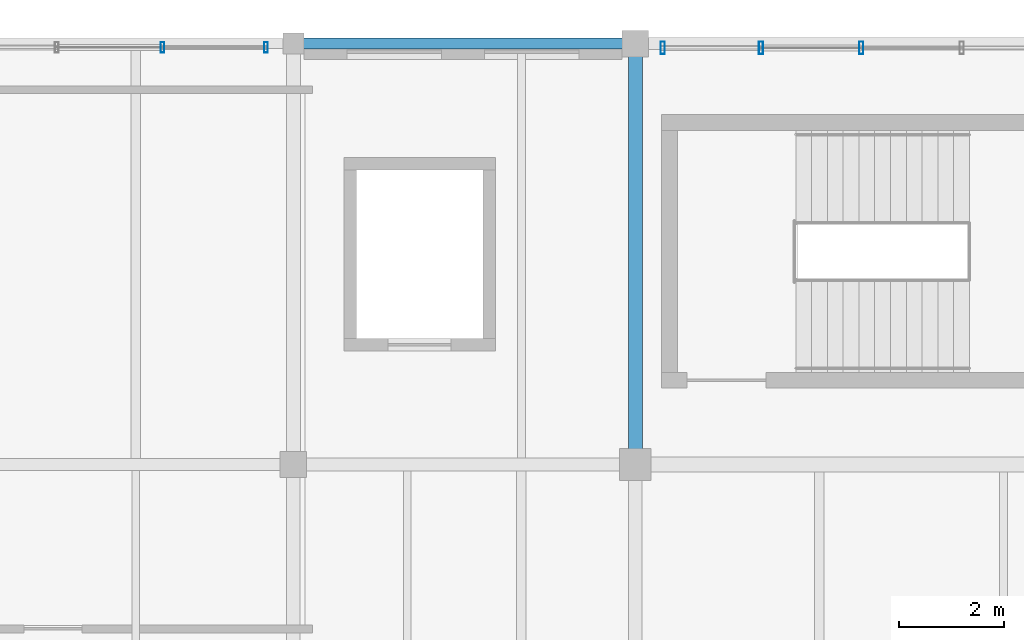
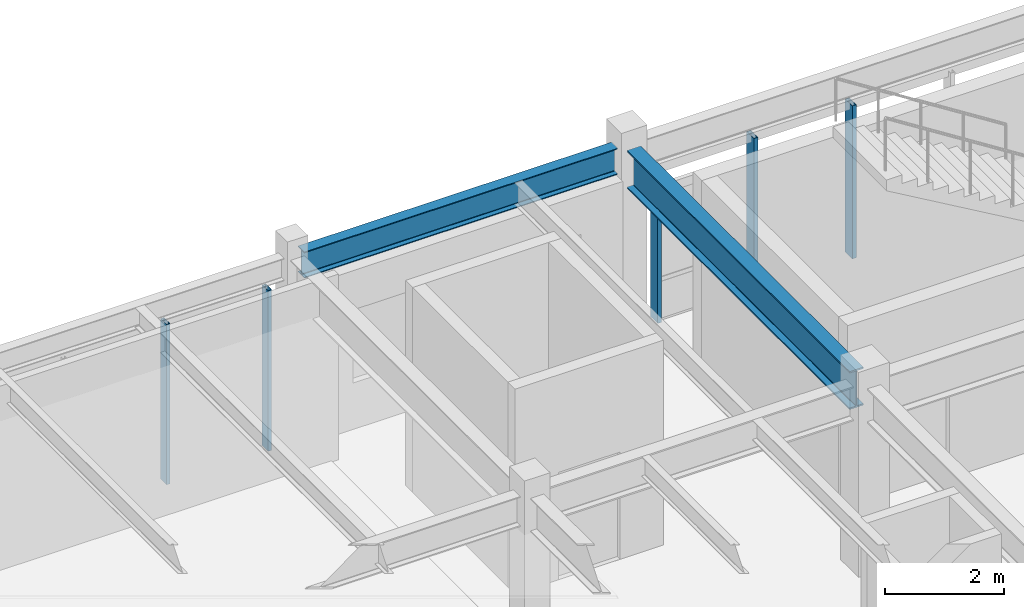
# One storey, part 14 of 56: 5 members, 2 beams, 2 elements without a shape of their own.
"""IFC4 building model written with IfcOpenShell, lengths in metres."""

from ifc_helpers import new_model, si_unit, direction, frame, origin, origin_2d, place, context, subcontext, project, spatial, hollow_rectangle, i_section, extrude, material, material_profile, profile_set, type_object, element, aggregate, save


model = new_model("IFC4")

# Units and contexts
model_context = context("Model", 3, precision=1e-05, world=origin(), true_north=direction((0.0, 1.0)))
body_context = subcontext(model_context, "Body", "Model", "MODEL_VIEW")
ifc_project = project(units=[si_unit("LENGTHUNIT", "METRE"), si_unit("AREAUNIT", "SQUARE_METRE"), si_unit("VOLUMEUNIT", "CUBIC_METRE"), si_unit("PLANEANGLEUNIT", "RADIAN"), si_unit("MASSUNIT", "GRAM", prefix="KILO"), si_unit("THERMODYNAMICTEMPERATUREUNIT", "KELVIN"), si_unit("POWERUNIT", "WATT")], contexts=[model_context])

# Site, building, storey
site_placement = place(None, origin())
site = spatial("IfcSite", under=ifc_project, at=site_placement, CompositionType="ELEMENT")
building_placement = place(site_placement, origin())
building = spatial("IfcBuilding", under=site, at=building_placement, Name="Tepalcoro Natatorium and Aquatics Centre", CompositionType="ELEMENT")
storey_placement = place(building_placement, frame((0.0, 0.0, 14.800048828125)))
storey = spatial("IfcBuildingStorey", under=building, at=storey_placement, Name="L03", CompositionType="ELEMENT", Elevation=14.800048828125)

# Beam
ifc_material_1 = material(Name="Steel ASTM A992 Grade 50 (Fy 345 MPa)", Category="steel")
ifc_material_profile_1 = material_profile(ifc_material_1, i_section(OverallWidth=0.26708984375, OverallDepth=0.780029296875, WebThickness=0.01708984375, FlangeThickness=0.030029296875, FilletRadius=0.013916015625, at=origin_2d()), Name="W30X148")
ifc_profile_set_1 = profile_set([ifc_material_profile_1], Name="Steel ASTM A992 Grade 50 (Fy 345 MPa)")
beam_type_1 = type_object("IfcBeamType", Name="BM_W30x148", PredefinedType="BEAM", material=ifc_profile_set_1)
beam_1_placement = place(storey_placement, frame((131.5, 110.284912109375, 3.4150390625), z_axis=(0.0, 1.0, 0.0), x_axis=(-1.0, 0.0, 0.0)))
element("IfcBeam", 1, at=beam_1_placement, inside=storey, type_object=beam_type_1, Name="V5 L03 Grid Girder Y", PredefinedType="BEAM", context=body_context, shape_type="SweptSolid", body=[
    extrude(i_section(OverallWidth=0.26708984375, OverallDepth=0.780029296875, WebThickness=0.01708984375, FlangeThickness=0.030029296875, FilletRadius=0.013916015625, at=origin_2d()), origin(), (0.0, 0.0, 1.0), 7.47998046875),
])

# Curtain wall, members
ifc_material_2 = material(Name="Bronze-Anodised Extruded Aluminium Alloy EN AW-6063 T6", Category="aluminium")
curtain_wall_type_1 = type_object("IfcCurtainWallType", Name="CW_LEAN_T1_EW", PredefinedType="USERDEFINED", material=ifc_material_2)
curtain_wall_1_placement = place(storey_placement, origin())
curtain_wall_1 = element("IfcCurtainWall", 2, at=curtain_wall_1_placement, inside=storey, type_object=curtain_wall_type_1, Name="V5 L03 N Unitised Curtain Wall Bay 2", ObjectType="FACETED SOLAR GLAZING", PredefinedType="USERDEFINED")
ifc_material_profile_2 = material_profile(ifc_material_2, hollow_rectangle(XDim=0.070068359375, YDim=0.199951171875, WallThickness=0.0048828125, at=origin_2d()), Name="AL70X200X5")
ifc_profile_set_2 = profile_set([ifc_material_profile_2], Name="Bronze-Anodised Extruded Aluminium Alloy EN AW-6063 T6")
member_type_1 = type_object("IfcMemberType", Name="CW_MUL_70x200", PredefinedType="MULLION", material=ifc_profile_set_2)
member_1_placement = place(storey_placement, frame((122.510009765625, 117.9287109375, 0.02001953125), z_axis=(0.0, 0.0, 1.0), x_axis=(1.0, 0.0, 0.0)))
member_1 = element("IfcMember", 3, at=member_1_placement, type_object=member_type_1, Name="CW_LEAN_T1_EW Curtain Wall Mullion", PredefinedType="MULLION", context=body_context, shape_type="SweptSolid", body=[
    extrude(hollow_rectangle(XDim=0.070068359375, YDim=0.199951171875, WallThickness=0.0048828125, at=origin_2d()), origin(), (0.0, 0.0, 1.0), 3.2900390625),
])
member_2_placement = place(storey_placement, frame((124.47998046875, 117.9287109375, 0.02001953125), z_axis=(0.0, 0.0, 1.0), x_axis=(1.0, 0.0, 0.0)))
member_2 = element("IfcMember", 4, at=member_2_placement, type_object=member_type_1, Name="CW_LEAN_T1_EW Curtain Wall Mullion", PredefinedType="MULLION", context=body_context, shape_type="SweptSolid", body=[
    extrude(hollow_rectangle(XDim=0.070068359375, YDim=0.199951171875, WallThickness=0.0048828125, at=origin_2d()), origin(), (0.0, 0.0, 1.0), 3.2900390625),
])
aggregate(curtain_wall_1, [member_1, member_2])

curtain_wall_type_2 = type_object("IfcCurtainWallType", Name="CW_LEAN_T2_EW", PredefinedType="USERDEFINED", material=ifc_material_2)
curtain_wall_2_placement = place(storey_placement, origin())
curtain_wall_2 = element("IfcCurtainWall", 5, at=curtain_wall_2_placement, inside=storey, type_object=curtain_wall_type_2, Name="V5 L03 N Unitised Curtain Wall Bay 4", ObjectType="FACETED SOLAR GLAZING", PredefinedType="USERDEFINED")
ifc_material_profile_3 = material_profile(ifc_material_2, hollow_rectangle(XDim=0.080078125, YDim=0.239990234375, WallThickness=0.0048828125, at=origin_2d()), Name="AL80X240X5")
ifc_profile_set_3 = profile_set([ifc_material_profile_3], Name="Bronze-Anodised Extruded Aluminium Alloy EN AW-6063 T6")
member_type_2 = type_object("IfcMemberType", Name="CW_MUL_80x240", PredefinedType="MULLION", material=ifc_profile_set_3)
member_3_placement = place(storey_placement, frame((132.02001953125, 117.919921875, 0.02001953125), z_axis=(0.0, 0.0, 1.0), x_axis=(1.0, 0.0, 0.0)))
member_3 = element("IfcMember", 6, at=member_3_placement, type_object=member_type_2, Name="CW_LEAN_T2_EW Curtain Wall Mullion", PredefinedType="MULLION", context=body_context, shape_type="SweptSolid", body=[
    extrude(hollow_rectangle(XDim=0.080078125, YDim=0.239990234375, WallThickness=0.0048828125, at=origin_2d()), origin(), (0.0, 0.0, 1.0), 3.137939453125),
])
member_4_placement = place(storey_placement, frame((133.887939453125, 117.919921875, 0.02001953125), z_axis=(0.0, 0.0, 1.0), x_axis=(1.0, 0.0, 0.0)))
member_4 = element("IfcMember", 7, at=member_4_placement, type_object=member_type_2, Name="CW_LEAN_T2_EW Curtain Wall Mullion", PredefinedType="MULLION", context=body_context, shape_type="SweptSolid", body=[
    extrude(hollow_rectangle(XDim=0.080078125, YDim=0.239990234375, WallThickness=0.0048828125, at=origin_2d()), origin(), (0.0, 0.0, 1.0), 3.137939453125),
])
member_5_placement = place(storey_placement, frame((135.7958984375, 117.919921875, 0.02001953125), z_axis=(0.0, 0.0, 1.0), x_axis=(1.0, 0.0, 0.0)))
member_5 = element("IfcMember", 8, at=member_5_placement, type_object=member_type_2, Name="CW_LEAN_T2_EW Curtain Wall Mullion", PredefinedType="MULLION", context=body_context, shape_type="SweptSolid", body=[
    extrude(hollow_rectangle(XDim=0.080078125, YDim=0.239990234375, WallThickness=0.0048828125, at=origin_2d()), origin(), (0.0, 0.0, 1.0), 3.137939453125),
])
aggregate(curtain_wall_2, [member_3, member_4, member_5])

# Beam
ifc_material_profile_4 = material_profile(ifc_material_1, i_section(OverallWidth=0.2099609375, OverallDepth=0.535888671875, WebThickness=0.010986328125, FlangeThickness=0.01708984375, FilletRadius=0.013916015625, at=origin_2d()), Name="W21X68")
ifc_profile_set_4 = profile_set([ifc_material_profile_4], Name="Steel ASTM A992 Grade 50 (Fy 345 MPa)")
beam_type_2 = type_object("IfcBeamType", Name="SP_W21x68", PredefinedType="SPANDREL", material=ifc_profile_set_4)
beam_2_placement = place(storey_placement, frame((125.18505859375, 118.0, 3.536865234375), z_axis=(1.0, 0.0, 0.0), x_axis=(0.0, 1.0, 0.0)))
element("IfcBeam", 9, at=beam_2_placement, inside=storey, type_object=beam_type_2, Name="V5 L03 Grid Girder X", PredefinedType="SPANDREL", context=body_context, shape_type="SweptSolid", body=[
    extrude(i_section(OverallWidth=0.2099609375, OverallDepth=0.535888671875, WebThickness=0.010986328125, FlangeThickness=0.01708984375, FilletRadius=0.013916015625, at=origin_2d()), origin(), (0.0, 0.0, 1.0), 6.079833984375),
])

save(model, "model.ifc")
